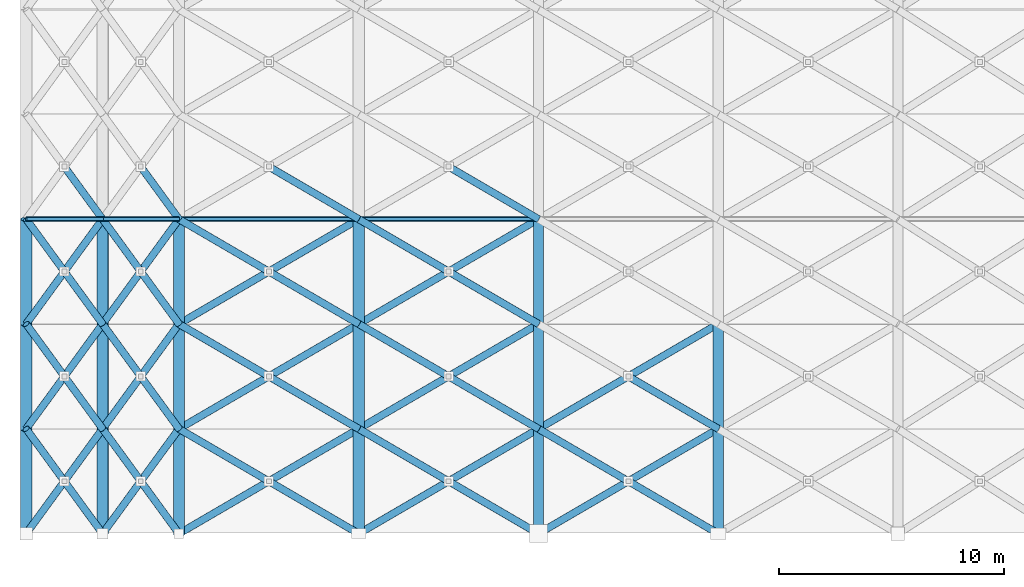
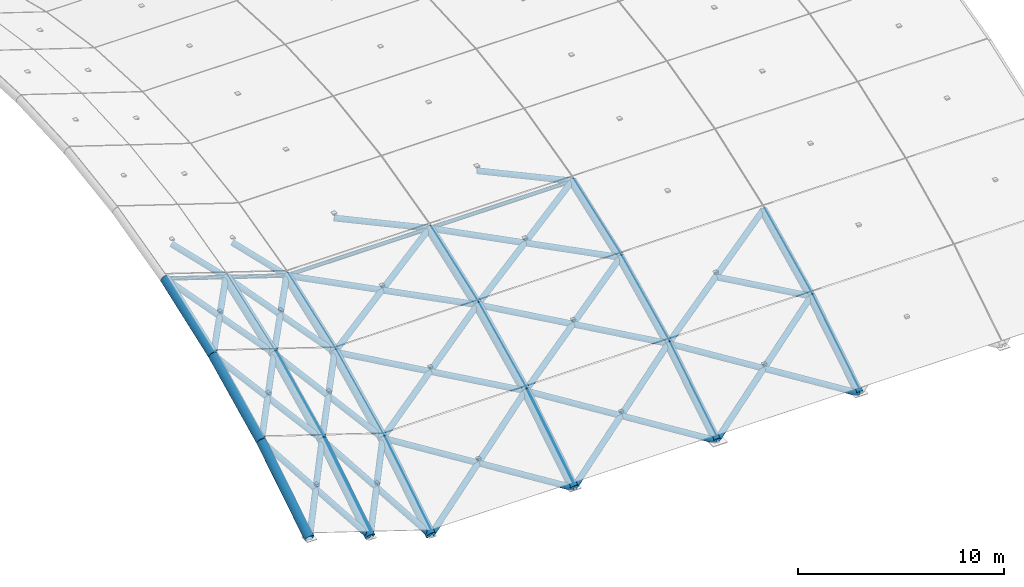
# One storey, part 1 of 21: 66 members.
"""IFC4 building model written with IfcOpenShell, lengths in metres."""

from ifc_helpers import new_model, si_unit, direction, frame, origin, origin_2d, place, context, subcontext, project, spatial, hollow_circle, extrude, material, material_profile, profile_set, type_object, element, save


model = new_model("IFC4")

# Units and contexts
model_context = context("Model", 3, precision=1e-05, world=origin(), true_north=direction((0.0, 1.0)))
body_context = subcontext(model_context, "Body", "Model", "MODEL_VIEW")
ifc_project = project(units=[si_unit("LENGTHUNIT", "METRE"), si_unit("AREAUNIT", "SQUARE_METRE"), si_unit("VOLUMEUNIT", "CUBIC_METRE"), si_unit("PLANEANGLEUNIT", "RADIAN"), si_unit("MASSUNIT", "GRAM", prefix="KILO")], contexts=[model_context])

# Site, building, storey
site_placement = place(None, origin())
site = spatial("IfcSite", under=ifc_project, at=site_placement, CompositionType="ELEMENT")
building_placement = place(site_placement, origin())
building = spatial("IfcBuilding", under=site, at=building_placement, Name="Solmirada Galleria", CompositionType="ELEMENT")
storey_placement = place(building_placement, frame((0.0, 0.0, 37.5)))
storey = spatial("IfcBuildingStorey", under=building, at=storey_placement, Name="RF", CompositionType="ELEMENT", Elevation=37.5)

# Members
ifc_material = material(Name="Steel S355 / ASTM A500 Grade C", Category="steel")
ifc_material_profile_1 = material_profile(ifc_material, hollow_circle(Radius=0.109619140625, WallThickness=0.007568359375, at=origin_2d()), Name="HSS8.625X0.322")
ifc_profile_set_1 = profile_set([ifc_material_profile_1], Name="Steel S355 / ASTM A500 Grade C")
member_type_1 = type_object("IfcMemberType", Name="MEM-DOME-PURL", PredefinedType="PURLIN", material=ifc_profile_set_1)
member_1_placement = place(storey_placement, frame((33.199951171875, 46.0, -0.27197265625), z_axis=(0.951440399165, 0.0, -0.307833017781), x_axis=(0.0, 1.0, 0.0)))
element("IfcMember", 1, at=member_1_placement, inside=storey, type_object=member_type_1, Name="Barrel gridshell longitudinal tie W00-03", PredefinedType="PURLIN", context=body_context, shape_type="SweptSolid", body=[
    extrude(hollow_circle(Radius=0.109619140625, WallThickness=0.007568359375, at=origin_2d()), origin(), (0.0, 0.0, 1.0), 3.57373046875),
])
member_2_placement = place(storey_placement, frame((36.60009765625, 46.0, -1.3720703125), z_axis=(0.951453934471, 0.0, -0.307791180152), x_axis=(0.0, 1.0, 0.0)))
element("IfcMember", 2, at=member_2_placement, inside=storey, type_object=member_type_1, Name="Barrel gridshell longitudinal tie W01-03", PredefinedType="PURLIN", context=body_context, shape_type="SweptSolid", body=[
    extrude(hollow_circle(Radius=0.109619140625, WallThickness=0.007568359375, at=origin_2d()), origin(), (0.0, 0.0, 1.0), 3.573486328125),
])
for number, where, z_axis, x_axis, name in (
    (3, (40.0, 46.0, -2.471923828125), (1.0, 0.0, 0.0), (0.0, 1.0, 0.0), "Barrel gridshell longitudinal tie W02-03"),
    (4, (48.0, 46.0, -2.471923828125), (1.0, 0.0, 0.0), (0.0, 1.0, 0.0), "Barrel gridshell longitudinal tie W03-03"),
):
    element("IfcMember", number, at=place(storey_placement, frame(where, z_axis=z_axis, x_axis=x_axis)), inside=storey, type_object=member_type_1, Name=name, PredefinedType="PURLIN", context=body_context, shape_type="SweptSolid", body=[
        extrude(hollow_circle(Radius=0.109619140625, WallThickness=0.007568359375, at=origin_2d()), origin(), (0.0, 0.0, 1.0), 8.0),
    ])
ifc_material_profile_2 = material_profile(ifc_material, hollow_circle(Radius=0.25390625, WallThickness=0.01171875, at=origin_2d()), Name="HSS20.000X0.500")
ifc_profile_set_2 = profile_set([ifc_material_profile_2], Name="Steel S355 / ASTM A500 Grade C")
member_type_2 = type_object("IfcMemberType", Name="MEM-VAULT-ARCH1", PredefinedType="RAFTER", material=ifc_profile_set_2)
member_3_placement = place(storey_placement, frame((33.199951171875, 32.0, -7.159912109375), z_axis=(0.0, 0.847876176286, 0.530194294279), x_axis=(-1.0, 0.0, 0.0)))
element("IfcMember", 5, at=member_3_placement, inside=storey, type_object=member_type_2, Name="Barrel vault arch rib W00-00", PredefinedType="RAFTER", context=body_context, shape_type="SweptSolid", body=[
    extrude(hollow_circle(Radius=0.25390625, WallThickness=0.01171875, at=origin_2d()), origin(), (0.0, 0.0, 1.0), 5.504150390625),
])
member_4_placement = place(storey_placement, frame((33.199951171875, 36.666748046875, -4.24169921875), z_axis=(0.0, 0.899303609311, 0.437324842971), x_axis=(-1.0, 0.0, 0.0)))
element("IfcMember", 6, at=member_4_placement, inside=storey, type_object=member_type_2, Name="Barrel vault arch rib W00-01", PredefinedType="RAFTER", context=body_context, shape_type="SweptSolid", body=[
    extrude(hollow_circle(Radius=0.25390625, WallThickness=0.01171875, at=origin_2d()), origin(), (0.0, 0.0, 1.0), 5.18896484375),
])
member_5_placement = place(storey_placement, frame((33.199951171875, 41.333251953125, -1.972412109375), z_axis=(0.0, 0.939570777515, 0.342354719612), x_axis=(-1.0, 0.0, 0.0)))
element("IfcMember", 7, at=member_5_placement, inside=storey, type_object=member_type_2, Name="Barrel vault arch rib W00-02", PredefinedType="RAFTER", context=body_context, shape_type="SweptSolid", body=[
    extrude(hollow_circle(Radius=0.25390625, WallThickness=0.01171875, at=origin_2d()), origin(), (0.0, 0.0, 1.0), 4.966796875),
])
member_6_placement = place(storey_placement, frame((36.60009765625, 32.0, -8.260009765625), z_axis=(0.0, 0.847856236134, 0.53022618084), x_axis=(-1.0, 0.0, 0.0)))
element("IfcMember", 8, at=member_6_placement, inside=storey, type_object=member_type_2, Name="Barrel vault arch rib W01-00", PredefinedType="RAFTER", context=body_context, shape_type="SweptSolid", body=[
    extrude(hollow_circle(Radius=0.25390625, WallThickness=0.01171875, at=origin_2d()), origin(), (0.0, 0.0, 1.0), 5.504150390625),
])
member_7_placement = place(storey_placement, frame((36.60009765625, 36.666748046875, -5.341552734375), z_axis=(0.0, 0.899322112871, 0.437286790678), x_axis=(-1.0, 0.0, 0.0)))
element("IfcMember", 9, at=member_7_placement, inside=storey, type_object=member_type_2, Name="Barrel vault arch rib W01-01", PredefinedType="RAFTER", context=body_context, shape_type="SweptSolid", body=[
    extrude(hollow_circle(Radius=0.25390625, WallThickness=0.01171875, at=origin_2d()), origin(), (0.0, 0.0, 1.0), 5.18896484375),
])
member_8_placement = place(storey_placement, frame((36.60009765625, 41.333251953125, -3.072509765625), z_axis=(0.0, 0.939570777515, 0.342354719612), x_axis=(-1.0, 0.0, 0.0)))
element("IfcMember", 10, at=member_8_placement, inside=storey, type_object=member_type_2, Name="Barrel vault arch rib W01-02", PredefinedType="RAFTER", context=body_context, shape_type="SweptSolid", body=[
    extrude(hollow_circle(Radius=0.25390625, WallThickness=0.01171875, at=origin_2d()), origin(), (0.0, 0.0, 1.0), 4.966796875),
])
member_9_placement = place(storey_placement, frame((40.0, 32.0, -9.360107421875), z_axis=(0.0, 0.847856236134, 0.53022618084), x_axis=(-1.0, 0.0, 0.0)))
element("IfcMember", 11, at=member_9_placement, inside=storey, type_object=member_type_2, Name="Barrel vault arch rib W02-00", PredefinedType="RAFTER", context=body_context, shape_type="SweptSolid", body=[
    extrude(hollow_circle(Radius=0.25390625, WallThickness=0.01171875, at=origin_2d()), origin(), (0.0, 0.0, 1.0), 5.504150390625),
])
member_10_placement = place(storey_placement, frame((40.0, 36.666748046875, -6.441650390625), z_axis=(0.0, 0.899303609311, 0.437324842971), x_axis=(-1.0, 0.0, 0.0)))
element("IfcMember", 12, at=member_10_placement, inside=storey, type_object=member_type_2, Name="Barrel vault arch rib W02-01", PredefinedType="RAFTER", context=body_context, shape_type="SweptSolid", body=[
    extrude(hollow_circle(Radius=0.25390625, WallThickness=0.01171875, at=origin_2d()), origin(), (0.0, 0.0, 1.0), 5.18896484375),
])
member_11_placement = place(storey_placement, frame((40.0, 41.333251953125, -4.17236328125), z_axis=(0.0, 0.939570777515, 0.342354719612), x_axis=(-1.0, 0.0, 0.0)))
element("IfcMember", 13, at=member_11_placement, inside=storey, type_object=member_type_2, Name="Barrel vault arch rib W02-02", PredefinedType="RAFTER", context=body_context, shape_type="SweptSolid", body=[
    extrude(hollow_circle(Radius=0.25390625, WallThickness=0.01171875, at=origin_2d()), origin(), (0.0, 0.0, 1.0), 4.966796875),
])
member_12_placement = place(storey_placement, frame((48.0, 32.0, -9.360107421875), z_axis=(0.0, 0.847856236134, 0.53022618084), x_axis=(-1.0, 0.0, 0.0)))
element("IfcMember", 14, at=member_12_placement, inside=storey, type_object=member_type_2, Name="Barrel vault arch rib W03-00", PredefinedType="RAFTER", context=body_context, shape_type="SweptSolid", body=[
    extrude(hollow_circle(Radius=0.25390625, WallThickness=0.01171875, at=origin_2d()), origin(), (0.0, 0.0, 1.0), 5.504150390625),
])
member_13_placement = place(storey_placement, frame((48.0, 36.666748046875, -6.441650390625), z_axis=(0.0, 0.899303609311, 0.437324842971), x_axis=(-1.0, 0.0, 0.0)))
element("IfcMember", 15, at=member_13_placement, inside=storey, type_object=member_type_2, Name="Barrel vault arch rib W03-01", PredefinedType="RAFTER", context=body_context, shape_type="SweptSolid", body=[
    extrude(hollow_circle(Radius=0.25390625, WallThickness=0.01171875, at=origin_2d()), origin(), (0.0, 0.0, 1.0), 5.18896484375),
])
member_14_placement = place(storey_placement, frame((48.0, 41.333251953125, -4.17236328125), z_axis=(0.0, 0.939570777515, 0.342354719612), x_axis=(-1.0, 0.0, 0.0)))
element("IfcMember", 16, at=member_14_placement, inside=storey, type_object=member_type_2, Name="Barrel vault arch rib W03-02", PredefinedType="RAFTER", context=body_context, shape_type="SweptSolid", body=[
    extrude(hollow_circle(Radius=0.25390625, WallThickness=0.01171875, at=origin_2d()), origin(), (0.0, 0.0, 1.0), 4.966796875),
])
ifc_material_profile_3 = material_profile(ifc_material, hollow_circle(Radius=0.228515625, WallThickness=0.01171875, at=origin_2d()), Name="HSS18.000X0.500")
ifc_profile_set_3 = profile_set([ifc_material_profile_3], Name="Steel S355 / ASTM A500 Grade C")
member_type_3 = type_object("IfcMemberType", Name="MEM-VAULT-ARCH2", PredefinedType="RAFTER", material=ifc_profile_set_3)
member_15_placement = place(storey_placement, frame((56.0, 32.0, -9.360107421875), z_axis=(0.0, 0.847856236134, 0.53022618084), x_axis=(-1.0, 0.0, 0.0)))
element("IfcMember", 17, at=member_15_placement, inside=storey, type_object=member_type_3, Name="Barrel vault arch rib W04-00", PredefinedType="RAFTER", context=body_context, shape_type="SweptSolid", body=[
    extrude(hollow_circle(Radius=0.228515625, WallThickness=0.01171875, at=origin_2d()), origin(), (0.0, 0.0, 1.0), 5.504150390625),
])
member_16_placement = place(storey_placement, frame((56.0, 36.666748046875, -6.441650390625), z_axis=(0.0, 0.899303609311, 0.437324842971), x_axis=(-1.0, 0.0, 0.0)))
element("IfcMember", 18, at=member_16_placement, inside=storey, type_object=member_type_3, Name="Barrel vault arch rib W04-01", PredefinedType="RAFTER", context=body_context, shape_type="SweptSolid", body=[
    extrude(hollow_circle(Radius=0.228515625, WallThickness=0.01171875, at=origin_2d()), origin(), (0.0, 0.0, 1.0), 5.18896484375),
])
member_17_placement = place(storey_placement, frame((56.0, 41.333251953125, -4.17236328125), z_axis=(0.0, 0.939570777515, 0.342354719612), x_axis=(-1.0, 0.0, 0.0)))
element("IfcMember", 19, at=member_17_placement, inside=storey, type_object=member_type_3, Name="Barrel vault arch rib W04-02", PredefinedType="RAFTER", context=body_context, shape_type="SweptSolid", body=[
    extrude(hollow_circle(Radius=0.228515625, WallThickness=0.01171875, at=origin_2d()), origin(), (0.0, 0.0, 1.0), 4.966796875),
])
member_18_placement = place(storey_placement, frame((64.0, 32.0, -9.360107421875), z_axis=(0.0, 0.847856236134, 0.53022618084), x_axis=(-1.0, 0.0, 0.0)))
element("IfcMember", 20, at=member_18_placement, inside=storey, type_object=member_type_3, Name="Barrel vault arch rib W05-00", PredefinedType="RAFTER", context=body_context, shape_type="SweptSolid", body=[
    extrude(hollow_circle(Radius=0.228515625, WallThickness=0.01171875, at=origin_2d()), origin(), (0.0, 0.0, 1.0), 5.504150390625),
])
member_19_placement = place(storey_placement, frame((64.0, 36.666748046875, -6.441650390625), z_axis=(0.0, 0.899303609311, 0.437324842971), x_axis=(-1.0, 0.0, 0.0)))
element("IfcMember", 21, at=member_19_placement, inside=storey, type_object=member_type_3, Name="Barrel vault arch rib W05-01", PredefinedType="RAFTER", context=body_context, shape_type="SweptSolid", body=[
    extrude(hollow_circle(Radius=0.228515625, WallThickness=0.01171875, at=origin_2d()), origin(), (0.0, 0.0, 1.0), 5.18896484375),
])
ifc_material_profile_4 = material_profile(ifc_material, hollow_circle(Radius=0.162109375, WallThickness=0.0087890625, at=origin_2d()), Name="HSS12.750X0.375")
ifc_profile_set_4 = profile_set([ifc_material_profile_4], Name="Steel S355 / ASTM A500 Grade C")
member_type_4 = type_object("IfcMemberType", Name="MEM-VAULT-DIAG", PredefinedType="BRACE", material=ifc_profile_set_4)
member_20_placement = place(storey_placement, frame((33.199951171875, 32.0, -7.159912109375), z_axis=(0.561674297432, 0.770905736729, 0.300376977617), x_axis=(-0.808229309107, 0.58886788323, 0.0)))
element("IfcMember", 22, at=member_20_placement, inside=storey, type_object=member_type_4, Name="Barrel gridshell continuous diagonal W00-00", PredefinedType="BRACE", context=body_context, shape_type="SweptSolid", body=[
    extrude(hollow_circle(Radius=0.162109375, WallThickness=0.0087890625, at=origin_2d()), origin(), (0.0, 0.0, 1.0), 6.0537109375),
])
for number, where, z_axis, x_axis, name in (
    (23, (33.199951171875, 36.666748046875, -4.24169921875), (0.483314264583, -0.663437848756, -0.571189585417), (0.808264093398, 0.588820138348, 0.0), "Barrel gridshell split diagonal B1 W00-00"),
    (24, (34.89990234375, 34.333251953125, -6.250732421875), (0.483370552159, -0.663350426046, -0.571243487115), (0.808194521352, 0.588915626943, 0.0), "Barrel gridshell split diagonal B2 W00-00"),
):
    element("IfcMember", number, at=place(storey_placement, frame(where, z_axis=z_axis, x_axis=x_axis)), inside=storey, type_object=member_type_4, Name=name, PredefinedType="BRACE", context=body_context, shape_type="SweptSolid", body=[
        extrude(hollow_circle(Radius=0.162109375, WallThickness=0.0087890625, at=origin_2d()), origin(), (0.0, 0.0, 1.0), 3.517333984375),
    ])
member_21_placement = place(storey_placement, frame((33.199951171875, 36.666748046875, -4.24169921875), z_axis=(0.577173311303, 0.792136904735, 0.198469375158), x_axis=(-0.808214646261, 0.588888007663, 0.0)))
element("IfcMember", 25, at=member_21_placement, inside=storey, type_object=member_type_4, Name="Barrel gridshell continuous diagonal W00-01", PredefinedType="BRACE", context=body_context, shape_type="SweptSolid", body=[
    extrude(hollow_circle(Radius=0.162109375, WallThickness=0.0087890625, at=origin_2d()), origin(), (0.0, 0.0, 1.0), 5.89111328125),
])
member_22_placement = place(storey_placement, frame((33.199951171875, 41.333251953125, -1.972412109375), z_axis=(0.508601088312, -0.698075628465, -0.50399935507), x_axis=(0.808234771228, 0.58886038632, 0.0)))
element("IfcMember", 26, at=member_22_placement, inside=storey, type_object=member_type_4, Name="Barrel gridshell split diagonal B1 W00-01", PredefinedType="BRACE", context=body_context, shape_type="SweptSolid", body=[
    extrude(hollow_circle(Radius=0.162109375, WallThickness=0.0087890625, at=origin_2d()), origin(), (0.0, 0.0, 1.0), 3.34228515625),
])
member_23_placement = place(storey_placement, frame((34.89990234375, 39.0, -3.656982421875), z_axis=(0.508655234177, -0.698049694577, -0.503980631221), x_axis=(0.808194521352, 0.588915626943, 0.0)))
element("IfcMember", 27, at=member_23_placement, inside=storey, type_object=member_type_4, Name="Barrel gridshell split diagonal B2 W00-01", PredefinedType="BRACE", context=body_context, shape_type="SweptSolid", body=[
    extrude(hollow_circle(Radius=0.162109375, WallThickness=0.0087890625, at=origin_2d()), origin(), (0.0, 0.0, 1.0), 3.342529296875),
])
member_24_placement = place(storey_placement, frame((33.199951171875, 41.333251953125, -1.972412109375), z_axis=(0.585710540667, 0.803895812799, 0.103415108746), x_axis=(-0.808229309107, 0.58886788323, 0.0)))
element("IfcMember", 28, at=member_24_placement, inside=storey, type_object=member_type_4, Name="Barrel gridshell continuous diagonal W00-02", PredefinedType="BRACE", context=body_context, shape_type="SweptSolid", body=[
    extrude(hollow_circle(Radius=0.162109375, WallThickness=0.0087890625, at=origin_2d()), origin(), (0.0, 0.0, 1.0), 5.80517578125),
])
member_25_placement = place(storey_placement, frame((33.199951171875, 46.0, -0.27197265625), z_axis=(0.529831592357, -0.727215356622, -0.436390087918), x_axis=(0.808234771228, 0.58886038632, 0.0)))
element("IfcMember", 29, at=member_25_placement, inside=storey, type_object=member_type_4, Name="Barrel gridshell split diagonal B1 W00-02", PredefinedType="BRACE", context=body_context, shape_type="SweptSolid", body=[
    extrude(hollow_circle(Radius=0.162109375, WallThickness=0.0087890625, at=origin_2d()), origin(), (0.0, 0.0, 1.0), 3.20849609375),
])
member_26_placement = place(storey_placement, frame((34.89990234375, 43.666748046875, -1.672119140625), z_axis=(0.529839410676, -0.727197743717, -0.436409945382), x_axis=(0.808223847562, 0.588875379203, 0.0)))
element("IfcMember", 30, at=member_26_placement, inside=storey, type_object=member_type_4, Name="Barrel gridshell split diagonal B2 W00-02", PredefinedType="BRACE", context=body_context, shape_type="SweptSolid", body=[
    extrude(hollow_circle(Radius=0.162109375, WallThickness=0.0087890625, at=origin_2d()), origin(), (0.0, 0.0, 1.0), 3.208984375),
])
member_27_placement = place(storey_placement, frame((34.89990234375, 48.333251953125, -0.23046875), z_axis=(0.547653337461, -0.751568487381, -0.36772357926), x_axis=(0.808194521352, 0.588915626943, 0.0)))
element("IfcMember", 31, at=member_27_placement, inside=storey, type_object=member_type_4, Name="Barrel gridshell split diagonal B2 W00-03", PredefinedType="BRACE", context=body_context, shape_type="SweptSolid", body=[
    extrude(hollow_circle(Radius=0.162109375, WallThickness=0.0087890625, at=origin_2d()), origin(), (0.0, 0.0, 1.0), 3.1044921875),
])
member_28_placement = place(storey_placement, frame((36.60009765625, 32.0, -8.260009765625), z_axis=(0.561646689802, 0.770923199452, 0.300383781821), x_axis=(-0.808249433065, 0.588840261829, 0.0)))
element("IfcMember", 32, at=member_28_placement, inside=storey, type_object=member_type_4, Name="Barrel gridshell continuous diagonal W01-00", PredefinedType="BRACE", context=body_context, shape_type="SweptSolid", body=[
    extrude(hollow_circle(Radius=0.162109375, WallThickness=0.0087890625, at=origin_2d()), origin(), (0.0, 0.0, 1.0), 6.053466796875),
])
for number, where, z_axis, x_axis, name in (
    (33, (36.60009765625, 36.666748046875, -5.341552734375), (0.483295102458, -0.66341154521, -0.571236348303), (0.808264093398, 0.588820138348, 0.0), "Barrel gridshell split diagonal B1 W01-00"),
    (34, (38.300048828125, 34.333251953125, -7.350830078125), (0.483317357002, -0.66337268144, -0.571262652323), (0.808234771228, 0.58886038632, 0.0), "Barrel gridshell split diagonal B2 W01-00"),
):
    element("IfcMember", number, at=place(storey_placement, frame(where, z_axis=z_axis, x_axis=x_axis)), inside=storey, type_object=member_type_4, Name=name, PredefinedType="BRACE", context=body_context, shape_type="SweptSolid", body=[
        extrude(hollow_circle(Radius=0.162109375, WallThickness=0.0087890625, at=origin_2d()), origin(), (0.0, 0.0, 1.0), 3.517333984375),
    ])
member_29_placement = place(storey_placement, frame((36.60009765625, 36.666748046875, -5.341552734375), z_axis=(0.577145673338, 0.792155852376, 0.198474122477), x_axis=(-0.808234771228, 0.58886038632, 0.0)))
element("IfcMember", 35, at=member_29_placement, inside=storey, type_object=member_type_4, Name="Barrel gridshell continuous diagonal W01-01", PredefinedType="BRACE", context=body_context, shape_type="SweptSolid", body=[
    extrude(hollow_circle(Radius=0.162109375, WallThickness=0.0087890625, at=origin_2d()), origin(), (0.0, 0.0, 1.0), 5.890869140625),
])
for number, where, z_axis, x_axis, name in (
    (36, (36.60009765625, 41.333251953125, -3.072509765625), (0.508601088312, -0.698075628465, -0.50399935507), (0.808234771228, 0.58886038632, 0.0), "Barrel gridshell split diagonal B1 W01-01"),
    (37, (38.300048828125, 39.0, -4.757080078125), (0.508601088312, -0.698075628465, -0.50399935507), (0.808234771228, 0.58886038632, 0.0), "Barrel gridshell split diagonal B2 W01-01"),
):
    element("IfcMember", number, at=place(storey_placement, frame(where, z_axis=z_axis, x_axis=x_axis)), inside=storey, type_object=member_type_4, Name=name, PredefinedType="BRACE", context=body_context, shape_type="SweptSolid", body=[
        extrude(hollow_circle(Radius=0.162109375, WallThickness=0.0087890625, at=origin_2d()), origin(), (0.0, 0.0, 1.0), 3.34228515625),
    ])
member_30_placement = place(storey_placement, frame((36.60009765625, 41.333251953125, -3.072509765625), z_axis=(0.585680363524, 0.803912117533, 0.103459262837), x_axis=(-0.808249433065, 0.588840261829, 0.0)))
element("IfcMember", 38, at=member_30_placement, inside=storey, type_object=member_type_4, Name="Barrel gridshell continuous diagonal W01-02", PredefinedType="BRACE", context=body_context, shape_type="SweptSolid", body=[
    extrude(hollow_circle(Radius=0.162109375, WallThickness=0.0087890625, at=origin_2d()), origin(), (0.0, 0.0, 1.0), 5.804931640625),
])
member_31_placement = place(storey_placement, frame((36.60009765625, 46.0, -1.3720703125), z_axis=(0.529831592357, -0.727215356622, -0.436390087918), x_axis=(0.808234771228, 0.58886038632, 0.0)))
element("IfcMember", 39, at=member_31_placement, inside=storey, type_object=member_type_4, Name="Barrel gridshell split diagonal B1 W01-02", PredefinedType="BRACE", context=body_context, shape_type="SweptSolid", body=[
    extrude(hollow_circle(Radius=0.162109375, WallThickness=0.0087890625, at=origin_2d()), origin(), (0.0, 0.0, 1.0), 3.20849609375),
])
member_32_placement = place(storey_placement, frame((38.300048828125, 43.666748046875, -2.772216796875), z_axis=(0.529802274717, -0.727251205191, -0.436365940758), x_axis=(0.808264093398, 0.588820138348, 0.0)))
element("IfcMember", 40, at=member_32_placement, inside=storey, type_object=member_type_4, Name="Barrel gridshell split diagonal B2 W01-02", PredefinedType="BRACE", context=body_context, shape_type="SweptSolid", body=[
    extrude(hollow_circle(Radius=0.162109375, WallThickness=0.0087890625, at=origin_2d()), origin(), (0.0, 0.0, 1.0), 3.208740234375),
])
member_33_placement = place(storey_placement, frame((38.300048828125, 48.333251953125, -1.330322265625), z_axis=(0.547598279502, -0.751600855551, -0.367739416193), x_axis=(0.808234771228, 0.58886038632, 0.0)))
element("IfcMember", 41, at=member_33_placement, inside=storey, type_object=member_type_4, Name="Barrel gridshell split diagonal B2 W01-03", PredefinedType="BRACE", context=body_context, shape_type="SweptSolid", body=[
    extrude(hollow_circle(Radius=0.162109375, WallThickness=0.0087890625, at=origin_2d()), origin(), (0.0, 0.0, 1.0), 3.1044921875),
])
member_34_placement = place(storey_placement, frame((40.0, 32.0, -9.360107421875), z_axis=(0.823841216452, 0.480582423477, 0.300543148849), x_axis=(-0.503877581445, 0.863775076578, 0.0)))
element("IfcMember", 42, at=member_34_placement, inside=storey, type_object=member_type_4, Name="Barrel gridshell continuous diagonal W02-00", PredefinedType="BRACE", context=body_context, shape_type="SweptSolid", body=[
    extrude(hollow_circle(Radius=0.162109375, WallThickness=0.0087890625, at=origin_2d()), origin(), (0.0, 0.0, 1.0), 9.710693359375),
])
member_35_placement = place(storey_placement, frame((40.0, 36.666748046875, -6.441650390625), z_axis=(0.823831262204, -0.480601758066, -0.300539517468), x_axis=(0.503897248685, 0.863763603521, 0.0)))
element("IfcMember", 43, at=member_35_placement, inside=storey, type_object=member_type_4, Name="Barrel gridshell split diagonal B1 W02-00", PredefinedType="BRACE", context=body_context, shape_type="SweptSolid", body=[
    extrude(hollow_circle(Radius=0.162109375, WallThickness=0.0087890625, at=origin_2d()), origin(), (0.0, 0.0, 1.0), 4.85546875),
])
member_36_placement = place(storey_placement, frame((44.0, 34.333251953125, -7.90087890625), z_axis=(0.823851170541, -0.480563088187, -0.300546780171), x_axis=(0.503857913421, 0.863786549492, 0.0)))
element("IfcMember", 44, at=member_36_placement, inside=storey, type_object=member_type_4, Name="Barrel gridshell split diagonal B2 W02-00", PredefinedType="BRACE", context=body_context, shape_type="SweptSolid", body=[
    extrude(hollow_circle(Radius=0.162109375, WallThickness=0.0087890625, at=origin_2d()), origin(), (0.0, 0.0, 1.0), 4.855224609375),
])
member_37_placement = place(storey_placement, frame((40.0, 36.666748046875, -6.441650390625), z_axis=(0.838969414701, 0.489381756366, 0.237982809743), x_axis=(-0.503857913421, 0.863786549492, 0.0)))
element("IfcMember", 45, at=member_37_placement, inside=storey, type_object=member_type_4, Name="Barrel gridshell continuous diagonal W02-01", PredefinedType="BRACE", context=body_context, shape_type="SweptSolid", body=[
    extrude(hollow_circle(Radius=0.162109375, WallThickness=0.0087890625, at=origin_2d()), origin(), (0.0, 0.0, 1.0), 9.535400390625),
])
for number, where, z_axis, x_axis, name in (
    (46, (40.0, 41.333251953125, -4.17236328125), (0.838974526438, -0.489384738108, -0.237958656272), (0.503857913421, 0.863786549492, 0.0), "Barrel gridshell split diagonal B1 W02-01"),
    (47, (44.0, 39.0, -5.306884765625), (0.838964302507, -0.489378774357, -0.238006962772), (0.503857913421, 0.863786549492, 0.0), "Barrel gridshell split diagonal B2 W02-01"),
):
    element("IfcMember", number, at=place(storey_placement, frame(where, z_axis=z_axis, x_axis=x_axis)), inside=storey, type_object=member_type_4, Name=name, PredefinedType="BRACE", context=body_context, shape_type="SweptSolid", body=[
        extrude(hollow_circle(Radius=0.162109375, WallThickness=0.0087890625, at=origin_2d()), origin(), (0.0, 0.0, 1.0), 4.767822265625),
    ])
member_38_placement = place(storey_placement, frame((40.0, 41.333251953125, -4.17236328125), z_axis=(0.84957466948, 0.495593866184, 0.180581285795), x_axis=(-0.503877581445, 0.863775076578, 0.0)))
element("IfcMember", 48, at=member_38_placement, inside=storey, type_object=member_type_4, Name="Barrel gridshell continuous diagonal W02-02", PredefinedType="BRACE", context=body_context, shape_type="SweptSolid", body=[
    extrude(hollow_circle(Radius=0.162109375, WallThickness=0.0087890625, at=origin_2d()), origin(), (0.0, 0.0, 1.0), 9.41650390625),
])
for number, where, z_axis, x_axis, name in (
    (49, (40.0, 46.0, -2.471923828125), (0.849581607741, -0.4955719864, -0.18060868773), (0.503857913421, 0.863786549492, 0.0), "Barrel gridshell split diagonal B1 W02-02"),
    (50, (44.0, 43.666748046875, -3.322265625), (0.849567730246, -0.495615744977, -0.180553884077), (0.503897248685, 0.863763603521, 0.0), "Barrel gridshell split diagonal B2 W02-02"),
):
    element("IfcMember", number, at=place(storey_placement, frame(where, z_axis=z_axis, x_axis=x_axis)), inside=storey, type_object=member_type_4, Name=name, PredefinedType="BRACE", context=body_context, shape_type="SweptSolid", body=[
        extrude(hollow_circle(Radius=0.162109375, WallThickness=0.0087890625, at=origin_2d()), origin(), (0.0, 0.0, 1.0), 4.708251953125),
    ])
member_39_placement = place(storey_placement, frame((44.0, 48.333251953125, -1.88037109375), z_axis=(0.856823806881, -0.499796455222, -0.126714116459), x_axis=(0.503857913421, 0.863786549492, 0.0)))
element("IfcMember", 51, at=member_39_placement, inside=storey, type_object=member_type_4, Name="Barrel gridshell split diagonal B2 W02-03", PredefinedType="BRACE", context=body_context, shape_type="SweptSolid", body=[
    extrude(hollow_circle(Radius=0.162109375, WallThickness=0.0087890625, at=origin_2d()), origin(), (0.0, 0.0, 1.0), 4.66845703125),
])
member_40_placement = place(storey_placement, frame((48.0, 32.0, -9.360107421875), z_axis=(0.823841216452, 0.480582423477, 0.300543148849), x_axis=(-0.503877581445, 0.863775076578, 0.0)))
element("IfcMember", 52, at=member_40_placement, inside=storey, type_object=member_type_4, Name="Barrel gridshell continuous diagonal W03-00", PredefinedType="BRACE", context=body_context, shape_type="SweptSolid", body=[
    extrude(hollow_circle(Radius=0.162109375, WallThickness=0.0087890625, at=origin_2d()), origin(), (0.0, 0.0, 1.0), 9.710693359375),
])
member_41_placement = place(storey_placement, frame((48.0, 36.666748046875, -6.441650390625), z_axis=(0.823831262204, -0.480601758066, -0.300539517468), x_axis=(0.503897248685, 0.863763603521, 0.0)))
element("IfcMember", 53, at=member_41_placement, inside=storey, type_object=member_type_4, Name="Barrel gridshell split diagonal B1 W03-00", PredefinedType="BRACE", context=body_context, shape_type="SweptSolid", body=[
    extrude(hollow_circle(Radius=0.162109375, WallThickness=0.0087890625, at=origin_2d()), origin(), (0.0, 0.0, 1.0), 4.85546875),
])
member_42_placement = place(storey_placement, frame((52.0, 34.333251953125, -7.90087890625), z_axis=(0.823851170541, -0.480563088187, -0.300546780171), x_axis=(0.503857913421, 0.863786549492, 0.0)))
element("IfcMember", 54, at=member_42_placement, inside=storey, type_object=member_type_4, Name="Barrel gridshell split diagonal B2 W03-00", PredefinedType="BRACE", context=body_context, shape_type="SweptSolid", body=[
    extrude(hollow_circle(Radius=0.162109375, WallThickness=0.0087890625, at=origin_2d()), origin(), (0.0, 0.0, 1.0), 4.855224609375),
])
member_43_placement = place(storey_placement, frame((48.0, 36.666748046875, -6.441650390625), z_axis=(0.838969414701, 0.489381756366, 0.237982809743), x_axis=(-0.503857913421, 0.863786549492, 0.0)))
element("IfcMember", 55, at=member_43_placement, inside=storey, type_object=member_type_4, Name="Barrel gridshell continuous diagonal W03-01", PredefinedType="BRACE", context=body_context, shape_type="SweptSolid", body=[
    extrude(hollow_circle(Radius=0.162109375, WallThickness=0.0087890625, at=origin_2d()), origin(), (0.0, 0.0, 1.0), 9.535400390625),
])
for number, where, z_axis, x_axis, name in (
    (56, (48.0, 41.333251953125, -4.17236328125), (0.838974526438, -0.489384738108, -0.237958656272), (0.503857913421, 0.863786549492, 0.0), "Barrel gridshell split diagonal B1 W03-01"),
    (57, (52.0, 39.0, -5.306884765625), (0.838964302507, -0.489378774357, -0.238006962772), (0.503857913421, 0.863786549492, 0.0), "Barrel gridshell split diagonal B2 W03-01"),
):
    element("IfcMember", number, at=place(storey_placement, frame(where, z_axis=z_axis, x_axis=x_axis)), inside=storey, type_object=member_type_4, Name=name, PredefinedType="BRACE", context=body_context, shape_type="SweptSolid", body=[
        extrude(hollow_circle(Radius=0.162109375, WallThickness=0.0087890625, at=origin_2d()), origin(), (0.0, 0.0, 1.0), 4.767822265625),
    ])
member_44_placement = place(storey_placement, frame((48.0, 41.333251953125, -4.17236328125), z_axis=(0.84957466948, 0.495593866184, 0.180581285795), x_axis=(-0.503877581445, 0.863775076578, 0.0)))
element("IfcMember", 58, at=member_44_placement, inside=storey, type_object=member_type_4, Name="Barrel gridshell continuous diagonal W03-02", PredefinedType="BRACE", context=body_context, shape_type="SweptSolid", body=[
    extrude(hollow_circle(Radius=0.162109375, WallThickness=0.0087890625, at=origin_2d()), origin(), (0.0, 0.0, 1.0), 9.41650390625),
])
for number, where, z_axis, x_axis, name in (
    (59, (48.0, 46.0, -2.471923828125), (0.849581607741, -0.4955719864, -0.18060868773), (0.503857913421, 0.863786549492, 0.0), "Barrel gridshell split diagonal B1 W03-02"),
    (60, (52.0, 43.666748046875, -3.322265625), (0.849567730246, -0.495615744977, -0.180553884077), (0.503897248685, 0.863763603521, 0.0), "Barrel gridshell split diagonal B2 W03-02"),
):
    element("IfcMember", number, at=place(storey_placement, frame(where, z_axis=z_axis, x_axis=x_axis)), inside=storey, type_object=member_type_4, Name=name, PredefinedType="BRACE", context=body_context, shape_type="SweptSolid", body=[
        extrude(hollow_circle(Radius=0.162109375, WallThickness=0.0087890625, at=origin_2d()), origin(), (0.0, 0.0, 1.0), 4.708251953125),
    ])
member_45_placement = place(storey_placement, frame((52.0, 48.333251953125, -1.88037109375), z_axis=(0.856823806881, -0.499796455222, -0.126714116459), x_axis=(0.503857913421, 0.863786549492, 0.0)))
element("IfcMember", 61, at=member_45_placement, inside=storey, type_object=member_type_4, Name="Barrel gridshell split diagonal B2 W03-03", PredefinedType="BRACE", context=body_context, shape_type="SweptSolid", body=[
    extrude(hollow_circle(Radius=0.162109375, WallThickness=0.0087890625, at=origin_2d()), origin(), (0.0, 0.0, 1.0), 4.66845703125),
])
member_46_placement = place(storey_placement, frame((56.0, 32.0, -9.360107421875), z_axis=(0.823841216452, 0.480582423477, 0.300543148849), x_axis=(-0.503877581445, 0.863775076578, 0.0)))
element("IfcMember", 62, at=member_46_placement, inside=storey, type_object=member_type_4, Name="Barrel gridshell continuous diagonal W04-00", PredefinedType="BRACE", context=body_context, shape_type="SweptSolid", body=[
    extrude(hollow_circle(Radius=0.162109375, WallThickness=0.0087890625, at=origin_2d()), origin(), (0.0, 0.0, 1.0), 9.710693359375),
])
member_47_placement = place(storey_placement, frame((56.0, 36.666748046875, -6.441650390625), z_axis=(0.823831262204, -0.480601758066, -0.300539517468), x_axis=(0.503897248685, 0.863763603521, 0.0)))
element("IfcMember", 63, at=member_47_placement, inside=storey, type_object=member_type_4, Name="Barrel gridshell split diagonal B1 W04-00", PredefinedType="BRACE", context=body_context, shape_type="SweptSolid", body=[
    extrude(hollow_circle(Radius=0.162109375, WallThickness=0.0087890625, at=origin_2d()), origin(), (0.0, 0.0, 1.0), 4.85546875),
])
member_48_placement = place(storey_placement, frame((60.0, 34.333251953125, -7.90087890625), z_axis=(0.823851170541, -0.480563088187, -0.300546780171), x_axis=(0.503857913421, 0.863786549492, 0.0)))
element("IfcMember", 64, at=member_48_placement, inside=storey, type_object=member_type_4, Name="Barrel gridshell split diagonal B2 W04-00", PredefinedType="BRACE", context=body_context, shape_type="SweptSolid", body=[
    extrude(hollow_circle(Radius=0.162109375, WallThickness=0.0087890625, at=origin_2d()), origin(), (0.0, 0.0, 1.0), 4.855224609375),
])
member_49_placement = place(storey_placement, frame((56.0, 36.666748046875, -6.441650390625), z_axis=(0.838969414701, 0.489381756366, 0.237982809743), x_axis=(-0.503857913421, 0.863786549492, 0.0)))
element("IfcMember", 65, at=member_49_placement, inside=storey, type_object=member_type_4, Name="Barrel gridshell continuous diagonal W04-01", PredefinedType="BRACE", context=body_context, shape_type="SweptSolid", body=[
    extrude(hollow_circle(Radius=0.162109375, WallThickness=0.0087890625, at=origin_2d()), origin(), (0.0, 0.0, 1.0), 9.535400390625),
])
member_50_placement = place(storey_placement, frame((60.0, 39.0, -5.306884765625), z_axis=(0.838964302507, -0.489378774357, -0.238006962772), x_axis=(0.503857913421, 0.863786549492, 0.0)))
element("IfcMember", 66, at=member_50_placement, inside=storey, type_object=member_type_4, Name="Barrel gridshell split diagonal B2 W04-01", PredefinedType="BRACE", context=body_context, shape_type="SweptSolid", body=[
    extrude(hollow_circle(Radius=0.162109375, WallThickness=0.0087890625, at=origin_2d()), origin(), (0.0, 0.0, 1.0), 4.767822265625),
])

save(model, "model.ifc")
